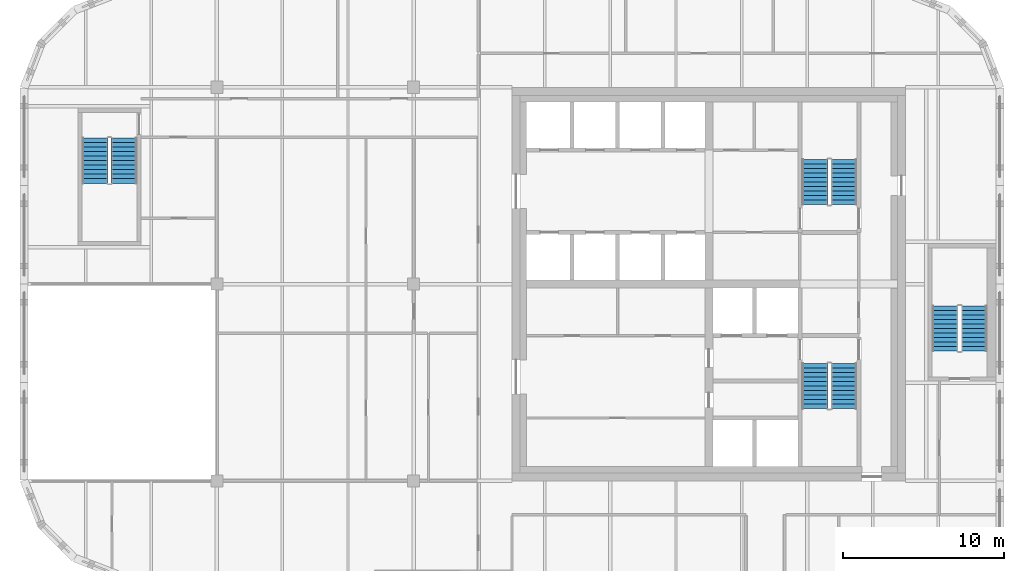
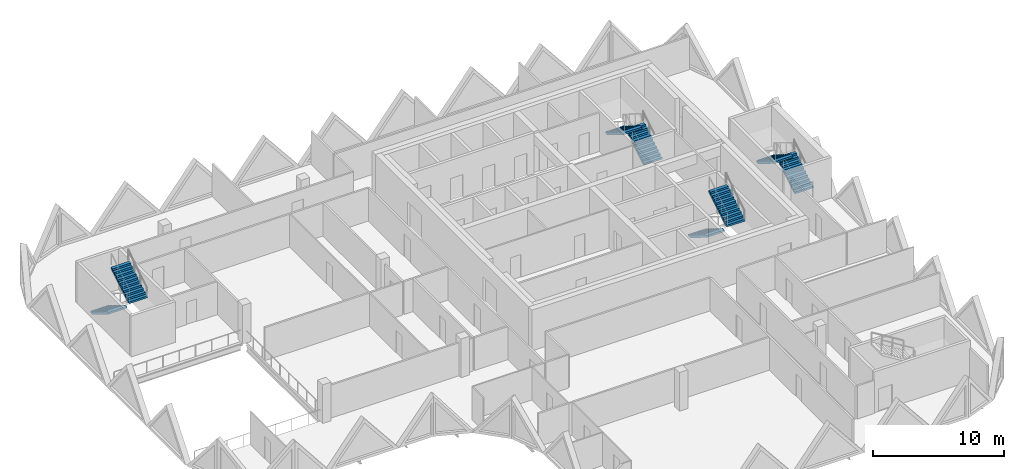
# One storey, part 10 of 11: 8 stair flights, 4 elements without a shape of their own.
"""IFC4 building model written with IfcOpenShell, lengths in metres."""

from ifc_helpers import new_model, si_unit, direction, frame, origin, place, context, subcontext, project, spatial, polyline, outline, extrude, material, type_object, element, aggregate, save


model = new_model("IFC4")

# Units and contexts
model_context = context("Model", 3, precision=1e-05, world=origin(), true_north=direction((0.0, 1.0)))
body_context = subcontext(model_context, "Body", "Model", "MODEL_VIEW")
ifc_project = project(units=[si_unit("LENGTHUNIT", "METRE"), si_unit("AREAUNIT", "SQUARE_METRE"), si_unit("VOLUMEUNIT", "CUBIC_METRE"), si_unit("PLANEANGLEUNIT", "RADIAN"), si_unit("MASSUNIT", "GRAM", prefix="KILO")], contexts=[model_context])

# Site, building, storey
site_placement = place(None, origin())
site = spatial("IfcSite", under=ifc_project, at=site_placement, CompositionType="ELEMENT")
building_placement = place(site_placement, origin())
building = spatial("IfcBuilding", under=site, at=building_placement, Name="Tessera Gate Towers", CompositionType="ELEMENT")
storey_placement = place(building_placement, frame((0.0, 0.0, 197.89990234375)))
storey = spatial("IfcBuildingStorey", under=building, at=storey_placement, Name="L49", CompositionType="ELEMENT", Elevation=197.89990234375)

# Stair, stair flights
ifc_material_1 = material(Name="Concrete C40/50", Category="concrete")
stair_type_1 = type_object("IfcStairType", Name="EXIT STAIR ST1 1600", PredefinedType="HALF_TURN_STAIR", material=ifc_material_1)
stair_1_placement = place(storey_placement, origin())
stair_1 = element("IfcStair", 1, at=stair_1_placement, inside=storey, type_object=stair_type_1, Name="L49 Protected Exit Stair ST1", PredefinedType="HALF_TURN_STAIR")
ifc_material_2 = material(Name="Concrete C40/50", Category="concrete")
stair_flight_type_1 = type_object("IfcStairFlightType", Name="EXIT STAIR FLIGHT ST1 1600", PredefinedType="STRAIGHT", material=ifc_material_2)
stair_flight_1_placement = place(storey_placement, frame((49.27490234375, 31.675048828125, 0.0), z_axis=(0.0, 0.0, 1.0), x_axis=(0.0, -1.0, 0.0)))
stair_flight_1 = element("IfcStairFlight", 2, at=stair_flight_1_placement, type_object=stair_flight_type_1, Name="ST1 flight 1", NumberOfRisers=11, NumberOfTreads=10, PredefinedType="STRAIGHT", RiserHeight=0.172727273, TreadLength=0.28, context=body_context, shape_type="SweptSolid", body=[
    extrude(outline(polyline([(0.0, 0.0), (0.0, 0.172607421875), (0.280029296875, 0.172607421875), (0.280029296875, 0.345458984375), (0.56005859375, 0.345458984375), (0.56005859375, 0.51806640625), (0.840087890625, 0.51806640625), (0.840087890625, 0.69091796875), (1.1201171875, 0.69091796875), (1.1201171875, 0.863525390625), (1.39990234375, 0.863525390625), (1.39990234375, 1.036376953125), (1.679931640625, 1.036376953125), (1.679931640625, 1.208984375), (1.9599609375, 1.208984375), (1.9599609375, 1.3818359375), (2.239990234375, 1.3818359375), (2.239990234375, 1.554443359375), (2.52001953125, 1.554443359375), (2.52001953125, 1.727294921875), (2.800048828125, 1.727294921875), (2.800048828125, 1.89990234375), (2.800048828125, 1.551025390625), (0.285400390625, 0.0), (0.0, 0.0)])), frame((0.0, 0.800048828125, 0.0), z_axis=(0.0, -1.0, 0.0), x_axis=(1.0, 0.0, 0.0)), (0.0, 0.0, 1.0), 1.60009765625),
])
stair_flight_2_placement = place(storey_placement, frame((51.074951171875, 28.875, 1.900146484375), z_axis=(0.0, 0.0, 1.0), x_axis=(0.0, 1.0, 0.0)))
stair_flight_2 = element("IfcStairFlight", 3, at=stair_flight_2_placement, type_object=stair_flight_type_1, Name="ST1 flight 2", NumberOfRisers=11, NumberOfTreads=10, PredefinedType="STRAIGHT", RiserHeight=0.172727273, TreadLength=0.28, context=body_context, shape_type="SweptSolid", body=[
    extrude(outline(polyline([(0.0, 0.0), (0.0, 0.172607421875), (0.280029296875, 0.172607421875), (0.280029296875, 0.345458984375), (0.56005859375, 0.345458984375), (0.56005859375, 0.51806640625), (0.840087890625, 0.51806640625), (0.840087890625, 0.69091796875), (1.1201171875, 0.69091796875), (1.1201171875, 0.863525390625), (1.39990234375, 0.863525390625), (1.39990234375, 1.036376953125), (1.679931640625, 1.036376953125), (1.679931640625, 1.208984375), (1.9599609375, 1.208984375), (1.9599609375, 1.3818359375), (2.239990234375, 1.3818359375), (2.239990234375, 1.554443359375), (2.52001953125, 1.554443359375), (2.52001953125, 1.727294921875), (2.800048828125, 1.727294921875), (2.800048828125, 1.89990234375), (2.800048828125, 1.551025390625), (0.285400390625, 0.0), (0.0, 0.0)])), frame((0.0, 0.800048828125, 0.0), z_axis=(0.0, -1.0, 0.0), x_axis=(1.0, 0.0, 0.0)), (0.0, 0.0, 1.0), 1.60009765625),
])
aggregate(stair_1, [stair_flight_1, stair_flight_2])

ifc_material_3 = material(Name="Concrete C40/50", Category="concrete")
stair_type_2 = type_object("IfcStairType", Name="EXIT STAIR ST2 1600", PredefinedType="HALF_TURN_STAIR", material=ifc_material_3)
stair_2_placement = place(storey_placement, origin())
stair_2 = element("IfcStair", 4, at=stair_2_placement, inside=storey, type_object=stair_type_2, Name="L49 Protected Exit Stair ST2", PredefinedType="HALF_TURN_STAIR")
ifc_material_4 = material(Name="Concrete C40/50", Category="concrete")
stair_flight_type_2 = type_object("IfcStairFlightType", Name="EXIT STAIR FLIGHT ST2 1600", PredefinedType="STRAIGHT", material=ifc_material_4)
stair_flight_3_placement = place(storey_placement, frame((51.074951171875, 41.52490234375, 0.0), z_axis=(0.0, 0.0, 1.0), x_axis=(0.0, 1.0, 0.0)))
stair_flight_3 = element("IfcStairFlight", 5, at=stair_flight_3_placement, type_object=stair_flight_type_2, Name="ST2 flight 1", NumberOfRisers=11, NumberOfTreads=10, PredefinedType="STRAIGHT", RiserHeight=0.172727273, TreadLength=0.28, context=body_context, shape_type="SweptSolid", body=[
    extrude(outline(polyline([(0.0, 0.0), (0.0, 0.172607421875), (0.280029296875, 0.172607421875), (0.280029296875, 0.345458984375), (0.56005859375, 0.345458984375), (0.56005859375, 0.51806640625), (0.840087890625, 0.51806640625), (0.840087890625, 0.69091796875), (1.1201171875, 0.69091796875), (1.1201171875, 0.863525390625), (1.39990234375, 0.863525390625), (1.39990234375, 1.036376953125), (1.679931640625, 1.036376953125), (1.679931640625, 1.208984375), (1.9599609375, 1.208984375), (1.9599609375, 1.3818359375), (2.239990234375, 1.3818359375), (2.239990234375, 1.554443359375), (2.52001953125, 1.554443359375), (2.52001953125, 1.727294921875), (2.800048828125, 1.727294921875), (2.800048828125, 1.89990234375), (2.800048828125, 1.551025390625), (0.285400390625, 0.0), (0.0, 0.0)])), frame((0.0, 0.800048828125, 0.0), z_axis=(0.0, -1.0, 0.0), x_axis=(1.0, 0.0, 0.0)), (0.0, 0.0, 1.0), 1.60009765625),
])
stair_flight_4_placement = place(storey_placement, frame((49.27490234375, 44.324951171875, 1.900146484375), z_axis=(0.0, 0.0, 1.0), x_axis=(0.0, -1.0, 0.0)))
stair_flight_4 = element("IfcStairFlight", 6, at=stair_flight_4_placement, type_object=stair_flight_type_2, Name="ST2 flight 2", NumberOfRisers=11, NumberOfTreads=10, PredefinedType="STRAIGHT", RiserHeight=0.172727273, TreadLength=0.28, context=body_context, shape_type="SweptSolid", body=[
    extrude(outline(polyline([(0.0, 0.0), (0.0, 0.172607421875), (0.280029296875, 0.172607421875), (0.280029296875, 0.345458984375), (0.56005859375, 0.345458984375), (0.56005859375, 0.51806640625), (0.840087890625, 0.51806640625), (0.840087890625, 0.69091796875), (1.1201171875, 0.69091796875), (1.1201171875, 0.863525390625), (1.39990234375, 0.863525390625), (1.39990234375, 1.036376953125), (1.679931640625, 1.036376953125), (1.679931640625, 1.208984375), (1.9599609375, 1.208984375), (1.9599609375, 1.3818359375), (2.239990234375, 1.3818359375), (2.239990234375, 1.554443359375), (2.52001953125, 1.554443359375), (2.52001953125, 1.727294921875), (2.800048828125, 1.727294921875), (2.800048828125, 1.89990234375), (2.800048828125, 1.551025390625), (0.285400390625, 0.0), (0.0, 0.0)])), frame((0.0, 0.800048828125, 0.0), z_axis=(0.0, -1.0, 0.0), x_axis=(1.0, 0.0, 0.0)), (0.0, 0.0, 1.0), 1.60009765625),
])
aggregate(stair_2, [stair_flight_3, stair_flight_4])

ifc_material_5 = material(Name="Concrete C40/50", Category="concrete")
stair_type_3 = type_object("IfcStairType", Name="EXIT STAIR ST3 1600", PredefinedType="HALF_TURN_STAIR", material=ifc_material_5)
stair_3_placement = place(storey_placement, origin())
stair_3 = element("IfcStair", 7, at=stair_3_placement, inside=storey, type_object=stair_type_3, Name="L49 West Exit Stair ST3", PredefinedType="HALF_TURN_STAIR")
ifc_material_6 = material(Name="Concrete C40/50", Category="concrete")
stair_flight_type_3 = type_object("IfcStairFlightType", Name="EXIT STAIR FLIGHT ST3 1600", PredefinedType="STRAIGHT", material=ifc_material_6)
stair_flight_5_placement = place(storey_placement, frame((4.64990234375, 45.64990234375, 0.0), z_axis=(0.0, 0.0, 1.0), x_axis=(0.0, -1.0, 0.0)))
stair_flight_5 = element("IfcStairFlight", 8, at=stair_flight_5_placement, type_object=stair_flight_type_3, Name="ST3 flight 1", NumberOfRisers=11, NumberOfTreads=10, PredefinedType="STRAIGHT", RiserHeight=0.172727273, TreadLength=0.28, context=body_context, shape_type="SweptSolid", body=[
    extrude(outline(polyline([(0.0, 0.0), (0.0, 0.172607421875), (0.280029296875, 0.172607421875), (0.280029296875, 0.345458984375), (0.56005859375, 0.345458984375), (0.56005859375, 0.51806640625), (0.840087890625, 0.51806640625), (0.840087890625, 0.69091796875), (1.1201171875, 0.69091796875), (1.1201171875, 0.863525390625), (1.39990234375, 0.863525390625), (1.39990234375, 1.036376953125), (1.679931640625, 1.036376953125), (1.679931640625, 1.208984375), (1.9599609375, 1.208984375), (1.9599609375, 1.3818359375), (2.239990234375, 1.3818359375), (2.239990234375, 1.554443359375), (2.52001953125, 1.554443359375), (2.52001953125, 1.727294921875), (2.800048828125, 1.727294921875), (2.800048828125, 1.89990234375), (2.800048828125, 1.551025390625), (0.285400390625, 0.0), (0.0, 0.0)])), frame((0.0, 0.800048828125, 0.0), z_axis=(0.0, -1.0, 0.0), x_axis=(1.0, 0.0, 0.0)), (0.0, 0.0, 1.0), 1.60009765625),
])
stair_flight_6_placement = place(storey_placement, frame((6.449951171875, 42.85009765625, 1.900146484375), z_axis=(0.0, 0.0, 1.0), x_axis=(0.0, 1.0, 0.0)))
stair_flight_6 = element("IfcStairFlight", 9, at=stair_flight_6_placement, type_object=stair_flight_type_3, Name="ST3 flight 2", NumberOfRisers=11, NumberOfTreads=10, PredefinedType="STRAIGHT", RiserHeight=0.172727273, TreadLength=0.28, context=body_context, shape_type="SweptSolid", body=[
    extrude(outline(polyline([(0.0, 0.0), (0.0, 0.172607421875), (0.280029296875, 0.172607421875), (0.280029296875, 0.345458984375), (0.56005859375, 0.345458984375), (0.56005859375, 0.51806640625), (0.840087890625, 0.51806640625), (0.840087890625, 0.69091796875), (1.1201171875, 0.69091796875), (1.1201171875, 0.863525390625), (1.39990234375, 0.863525390625), (1.39990234375, 1.036376953125), (1.679931640625, 1.036376953125), (1.679931640625, 1.208984375), (1.9599609375, 1.208984375), (1.9599609375, 1.3818359375), (2.239990234375, 1.3818359375), (2.239990234375, 1.554443359375), (2.52001953125, 1.554443359375), (2.52001953125, 1.727294921875), (2.800048828125, 1.727294921875), (2.800048828125, 1.89990234375), (2.800048828125, 1.551025390625), (0.285400390625, 0.0), (0.0, 0.0)])), frame((0.0, 0.800048828125, 0.0), z_axis=(0.0, -1.0, 0.0), x_axis=(1.0, 0.0, 0.0)), (0.0, 0.0, 1.0), 1.60009765625),
])
aggregate(stair_3, [stair_flight_5, stair_flight_6])

ifc_material_7 = material(Name="Concrete C40/50", Category="concrete")
stair_type_4 = type_object("IfcStairType", Name="EXIT STAIR ST5 1600", PredefinedType="HALF_TURN_STAIR", material=ifc_material_7)
stair_4_placement = place(storey_placement, origin())
stair_4 = element("IfcStair", 10, at=stair_4_placement, inside=storey, type_object=stair_type_4, Name="L49 East Exit Stair ST5", PredefinedType="HALF_TURN_STAIR")
ifc_material_8 = material(Name="Concrete C40/50", Category="concrete")
stair_flight_type_4 = type_object("IfcStairFlightType", Name="EXIT STAIR FLIGHT ST5 1600", PredefinedType="STRAIGHT", material=ifc_material_8)
stair_flight_7_placement = place(storey_placement, frame((59.14990234375, 32.449951171875, 0.0), z_axis=(0.0, 0.0, 1.0), x_axis=(0.0, 1.0, 0.0)))
stair_flight_7 = element("IfcStairFlight", 11, at=stair_flight_7_placement, type_object=stair_flight_type_4, Name="ST5 flight 1", NumberOfRisers=11, NumberOfTreads=10, PredefinedType="STRAIGHT", RiserHeight=0.172727273, TreadLength=0.28, context=body_context, shape_type="SweptSolid", body=[
    extrude(outline(polyline([(0.0, 0.0), (0.0, 0.172607421875), (0.280029296875, 0.172607421875), (0.280029296875, 0.345458984375), (0.56005859375, 0.345458984375), (0.56005859375, 0.51806640625), (0.840087890625, 0.51806640625), (0.840087890625, 0.69091796875), (1.1201171875, 0.69091796875), (1.1201171875, 0.863525390625), (1.39990234375, 0.863525390625), (1.39990234375, 1.036376953125), (1.679931640625, 1.036376953125), (1.679931640625, 1.208984375), (1.9599609375, 1.208984375), (1.9599609375, 1.3818359375), (2.239990234375, 1.3818359375), (2.239990234375, 1.554443359375), (2.52001953125, 1.554443359375), (2.52001953125, 1.727294921875), (2.800048828125, 1.727294921875), (2.800048828125, 1.89990234375), (2.800048828125, 1.551025390625), (0.285400390625, 0.0), (0.0, 0.0)])), frame((0.0, 0.800048828125, 0.0), z_axis=(0.0, -1.0, 0.0), x_axis=(1.0, 0.0, 0.0)), (0.0, 0.0, 1.0), 1.60009765625),
])
stair_flight_8_placement = place(storey_placement, frame((57.35009765625, 35.25, 1.900146484375), z_axis=(0.0, 0.0, 1.0), x_axis=(0.0, -1.0, 0.0)))
stair_flight_8 = element("IfcStairFlight", 12, at=stair_flight_8_placement, type_object=stair_flight_type_4, Name="ST5 flight 2", NumberOfRisers=11, NumberOfTreads=10, PredefinedType="STRAIGHT", RiserHeight=0.172727273, TreadLength=0.28, context=body_context, shape_type="SweptSolid", body=[
    extrude(outline(polyline([(0.0, 0.0), (0.0, 0.172607421875), (0.280029296875, 0.172607421875), (0.280029296875, 0.345458984375), (0.56005859375, 0.345458984375), (0.56005859375, 0.51806640625), (0.840087890625, 0.51806640625), (0.840087890625, 0.69091796875), (1.1201171875, 0.69091796875), (1.1201171875, 0.863525390625), (1.39990234375, 0.863525390625), (1.39990234375, 1.036376953125), (1.679931640625, 1.036376953125), (1.679931640625, 1.208984375), (1.9599609375, 1.208984375), (1.9599609375, 1.3818359375), (2.239990234375, 1.3818359375), (2.239990234375, 1.554443359375), (2.52001953125, 1.554443359375), (2.52001953125, 1.727294921875), (2.800048828125, 1.727294921875), (2.800048828125, 1.89990234375), (2.800048828125, 1.551025390625), (0.285400390625, 0.0), (0.0, 0.0)])), frame((0.0, 0.800048828125, 0.0), z_axis=(0.0, -1.0, 0.0), x_axis=(1.0, 0.0, 0.0)), (0.0, 0.0, 1.0), 1.60009765625),
])
aggregate(stair_4, [stair_flight_7, stair_flight_8])

save(model, "model.ifc")
